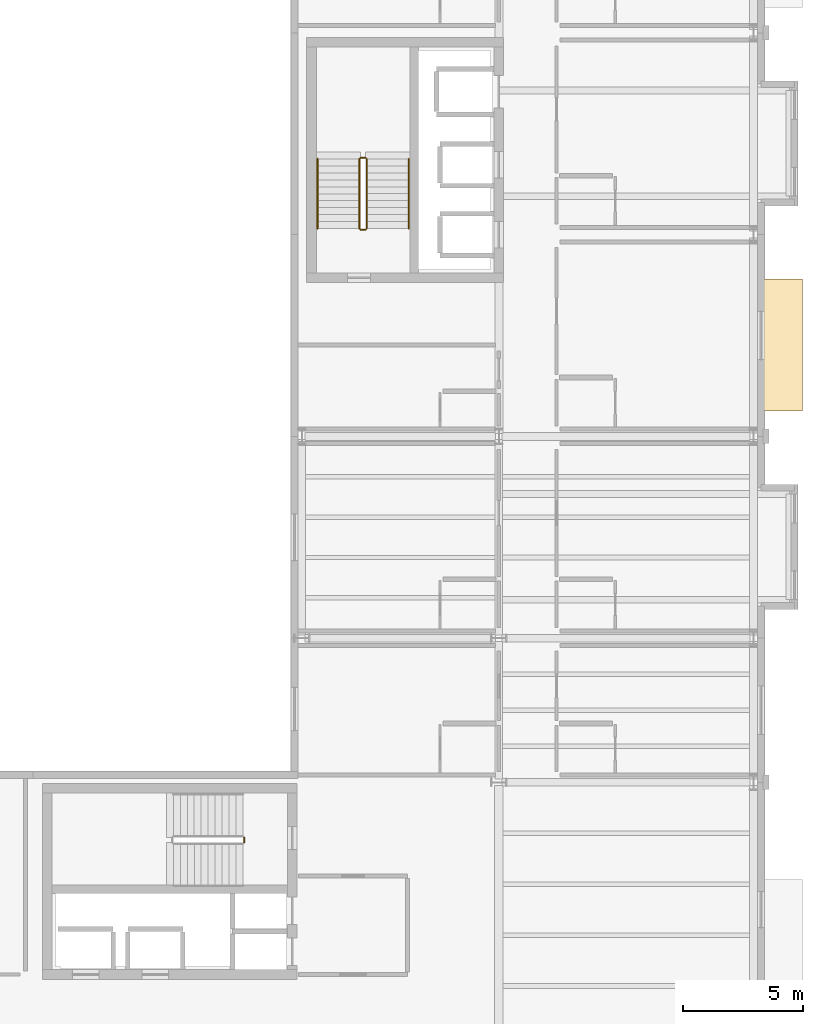
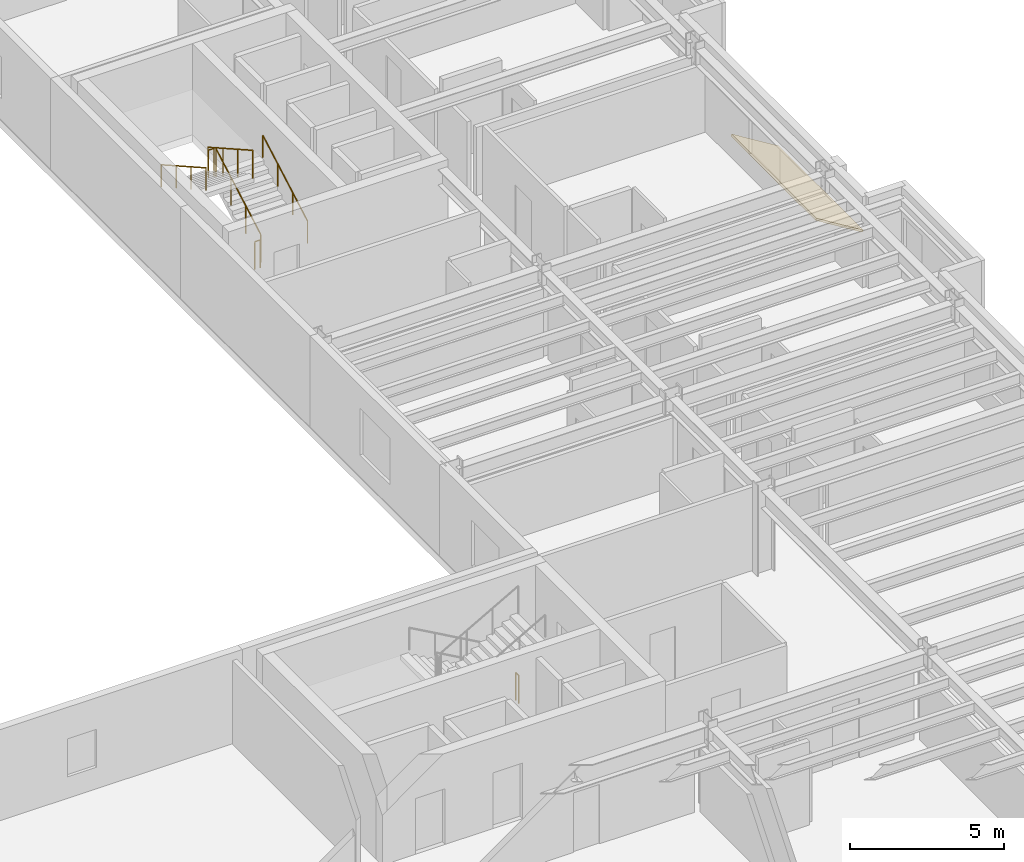
# One storey, part 33 of 34: 7 railings, 1 covering.
"""IFC4 building model written with IfcOpenShell, lengths in metres."""

from ifc_helpers import new_model, si_unit, direction, frame, origin, origin_2d, place, context, subcontext, project, spatial, polyline, circle, outline, extrude, material, layer, layer_set, type_object, element, save


model = new_model("IFC4")

# Units and contexts
model_context = context("Model", 3, precision=1e-05, world=origin(), true_north=direction((0.0, 1.0)))
body_context = subcontext(model_context, "Body", "Model", "MODEL_VIEW")
ifc_project = project(units=[si_unit("LENGTHUNIT", "METRE"), si_unit("AREAUNIT", "SQUARE_METRE"), si_unit("VOLUMEUNIT", "CUBIC_METRE"), si_unit("PLANEANGLEUNIT", "RADIAN"), si_unit("MASSUNIT", "GRAM", prefix="KILO")], contexts=[model_context])

# Site, building, storey
site_placement = place(None, origin())
site = spatial("IfcSite", under=ifc_project, at=site_placement, CompositionType="ELEMENT")
building_placement = place(site_placement, origin())
building = spatial("IfcBuilding", under=site, at=building_placement, Name="Sollismere Congress Hotel", CompositionType="ELEMENT")
storey_placement = place(building_placement, frame((0.0, 0.0, 23.39990234375)))
storey = spatial("IfcBuildingStorey", under=building, at=storey_placement, Name="L05", CompositionType="ELEMENT", Elevation=23.39990234375)

# Covering
ifc_material_1 = material(Name="Standing-Seam Titanium-Zinc Roof Assembly")
ifc_layer = layer(ifc_material_1, 0.054931640625, Name="Standing-Seam Titanium-Zinc Roof Assembly")
ifc_layer_set = layer_set([ifc_layer], Name="Standing-Seam Titanium-Zinc Roof Assembly")
covering_type = type_object("IfcCoveringType", Name="CV-RFZNC", PredefinedType="ROOFING", material=ifc_layer_set)
covering_placement = place(storey_placement, frame((166.258056640625, 34.25, 0.701904296875), z_axis=(0.525123792841, 0.0, 0.851025852834), x_axis=(0.851025852834, 0.0, -0.525123792841)))
element("IfcCovering", 1, at=covering_placement, inside=storey, type_object=covering_type, Name="Cikma bay sacak hood SL-CKH-14", PredefinedType="ROOFING", context=body_context, shape_type="SweptSolid", body=[
    extrude(outline(polyline([(0.0, 0.0), (2.056396484375, 0.0), (2.056396484375, 5.5), (0.0, 5.5), (0.0, 0.0)])), origin(), (0.0, 0.0, 1.0), 0.080078125),
])

# Railings
ifc_material_2 = material(Name="Steel ASTM A500 Grade C", Category="steel")
railing_type_1 = type_object("IfcRailingType", Name="RL-GRD112", PredefinedType="GUARDRAIL", material=ifc_material_2)
railing_1_placement = place(storey_placement, frame((144.800048828125, 16.5, 0.0)))
element("IfcRailing", 2, at=railing_1_placement, inside=storey, type_object=railing_type_1, Name="RLG-RG-ST-01-L05-4", PredefinedType="GUARDRAIL", context=body_context, shape_type="SweptSolid", body=[
    extrude(circle(Radius=0.02392578125, at=origin_2d()), frame((0.0, 0.0, 1.09619140625), z_axis=(0.0, -1.0, 0.0), x_axis=(1.0, 0.0, 0.0)), (0.0, 0.0, 1.0), 0.199951171875),
    extrude(circle(Radius=0.02099609375, at=origin_2d()), origin(), (0.0, 0.0, 1.0), 1.072021484375),
    extrude(circle(Radius=0.02099609375, at=origin_2d()), frame((0.0, -0.199951171875, 0.0)), (0.0, 0.0, 1.0), 1.072021484375),
])
railing_2_placement = place(storey_placement, frame((149.89990234375, 41.85009765625, 0.163818359375)))
element("IfcRailing", 3, at=railing_2_placement, inside=storey, type_object=railing_type_1, Name="RLG-RG-ST-03-L05-1", PredefinedType="GUARDRAIL", context=body_context, shape_type="SweptSolid", body=[
    extrude(circle(Radius=0.02392578125, at=origin_2d()), frame((0.0, 0.0, 1.09619140625), z_axis=(0.0, 0.870928581787, 0.491409610636), x_axis=(-1.0, 0.0, 0.0)), (0.0, 0.0, 1.0), 3.32958984375),
    extrude(circle(Radius=0.02099609375, at=origin_2d()), origin(), (0.0, 0.0, 1.0), 1.072021484375),
    extrude(circle(Radius=0.02099609375, at=origin_2d()), frame((0.0, 0.966552734375, 0.54541015625)), (0.0, 0.0, 1.0), 1.072021484375),
    extrude(circle(Radius=0.02099609375, at=origin_2d()), frame((0.0, 1.933349609375, 1.0908203125)), (0.0, 0.0, 1.0), 1.072021484375),
    extrude(circle(Radius=0.02099609375, at=origin_2d()), frame((0.0, 2.89990234375, 1.63623046875)), (0.0, 0.0, 1.0), 1.072021484375),
])
railing_3_placement = place(storey_placement, frame((149.85009765625, 44.800048828125, 1.800048828125)))
element("IfcRailing", 4, at=railing_3_placement, inside=storey, type_object=railing_type_1, Name="RLG-RG-ST-03-L05-2", PredefinedType="GUARDRAIL", context=body_context, shape_type="SweptSolid", body=[
    extrude(circle(Radius=0.02392578125, at=origin_2d()), frame((0.0, 0.0, 1.09619140625), z_axis=(-1.0, 0.0, 0.0), x_axis=(0.0, -1.0, 0.0)), (0.0, 0.0, 1.0), 0.2001953125),
    extrude(circle(Radius=0.02099609375, at=origin_2d()), origin(), (0.0, 0.0, 1.0), 1.072021484375),
    extrude(circle(Radius=0.02099609375, at=origin_2d()), frame((-0.2001953125, 0.0, 0.0)), (0.0, 0.0, 1.0), 1.072021484375),
])
railing_4_placement = place(storey_placement, frame((149.60009765625, 44.75, 1.963623046875)))
element("IfcRailing", 5, at=railing_4_placement, inside=storey, type_object=railing_type_1, Name="RLG-RG-ST-03-L05-3", PredefinedType="GUARDRAIL", context=body_context, shape_type="SweptSolid", body=[
    extrude(circle(Radius=0.02392578125, at=origin_2d()), frame((0.0, 0.0, 1.09619140625), z_axis=(0.0, -0.870897200241, 0.491465224214), x_axis=(1.0, 0.0, 0.0)), (0.0, 0.0, 1.0), 3.329833984375),
    extrude(circle(Radius=0.02099609375, at=origin_2d()), origin(), (0.0, 0.0, 1.0), 1.072021484375),
    extrude(circle(Radius=0.02099609375, at=origin_2d()), frame((0.0, -0.966552734375, 0.54541015625)), (0.0, 0.0, 1.0), 1.072021484375),
    extrude(circle(Radius=0.02099609375, at=origin_2d()), frame((0.0, -1.933349609375, 1.091064453125)), (0.0, 0.0, 1.0), 1.072021484375),
    extrude(circle(Radius=0.02099609375, at=origin_2d()), frame((0.0, -2.89990234375, 1.636474609375)), (0.0, 0.0, 1.0), 1.072021484375),
])
railing_5_placement = place(storey_placement, frame((149.85009765625, 41.800048828125, 0.0)))
element("IfcRailing", 6, at=railing_5_placement, inside=storey, type_object=railing_type_1, Name="RLG-RG-ST-03-L05-4", PredefinedType="GUARDRAIL", context=body_context, shape_type="SweptSolid", body=[
    extrude(circle(Radius=0.02392578125, at=origin_2d()), frame((0.0, 0.0, 1.09619140625), z_axis=(-1.0, 0.0, 0.0), x_axis=(0.0, -1.0, 0.0)), (0.0, 0.0, 1.0), 0.2001953125),
    extrude(circle(Radius=0.02099609375, at=origin_2d()), origin(), (0.0, 0.0, 1.0), 1.072021484375),
    extrude(circle(Radius=0.02099609375, at=origin_2d()), frame((-0.2001953125, 0.0, 0.0)), (0.0, 0.0, 1.0), 1.072021484375),
])
ifc_material_3 = material(Name="Brushed Architectural Bronze")
railing_type_2 = type_object("IfcRailingType", Name="RL-HND90", PredefinedType="HANDRAIL", material=ifc_material_3)
railing_6_placement = place(storey_placement, frame((151.64990234375, 41.85009765625, 0.303466796875)))
element("IfcRailing", 7, at=railing_6_placement, inside=storey, type_object=railing_type_2, Name="RLG-RH-ST-03-L05-1", PredefinedType="HANDRAIL", context=body_context, shape_type="SweptSolid", body=[
    extrude(circle(Radius=0.02392578125, at=origin_2d()), frame((0.0, 0.0, 0.8759765625), z_axis=(0.0, 0.870928581787, 0.491409610636), x_axis=(-1.0, 0.0, 0.0)), (0.0, 0.0, 1.0), 3.32958984375),
    extrude(circle(Radius=0.02099609375, at=origin_2d()), origin(), (0.0, 0.0, 1.0), 0.851806640625),
    extrude(circle(Radius=0.02099609375, at=origin_2d()), frame((0.0, 0.966552734375, 0.54541015625)), (0.0, 0.0, 1.0), 0.851806640625),
    extrude(circle(Radius=0.02099609375, at=origin_2d()), frame((0.0, 1.933349609375, 1.0908203125)), (0.0, 0.0, 1.0), 0.851806640625),
    extrude(circle(Radius=0.02099609375, at=origin_2d()), frame((0.0, 2.89990234375, 1.63623046875)), (0.0, 0.0, 1.0), 0.851806640625),
])
railing_7_placement = place(storey_placement, frame((147.85009765625, 44.75, 2.103271484375)))
element("IfcRailing", 8, at=railing_7_placement, inside=storey, type_object=railing_type_2, Name="RLG-RH-ST-03-L05-2", PredefinedType="HANDRAIL", context=body_context, shape_type="SweptSolid", body=[
    extrude(circle(Radius=0.02392578125, at=origin_2d()), frame((0.0, 0.0, 0.8759765625), z_axis=(0.0, -0.870897200241, 0.491465224214), x_axis=(1.0, 0.0, 0.0)), (0.0, 0.0, 1.0), 3.329833984375),
    extrude(circle(Radius=0.02099609375, at=origin_2d()), origin(), (0.0, 0.0, 1.0), 0.851806640625),
    extrude(circle(Radius=0.02099609375, at=origin_2d()), frame((0.0, -0.966552734375, 0.54541015625)), (0.0, 0.0, 1.0), 0.851806640625),
    extrude(circle(Radius=0.02099609375, at=origin_2d()), frame((0.0, -1.933349609375, 1.091064453125)), (0.0, 0.0, 1.0), 0.851806640625),
    extrude(circle(Radius=0.02099609375, at=origin_2d()), frame((0.0, -2.89990234375, 1.636474609375)), (0.0, 0.0, 1.0), 0.851806640625),
])

save(model, "model.ifc")
